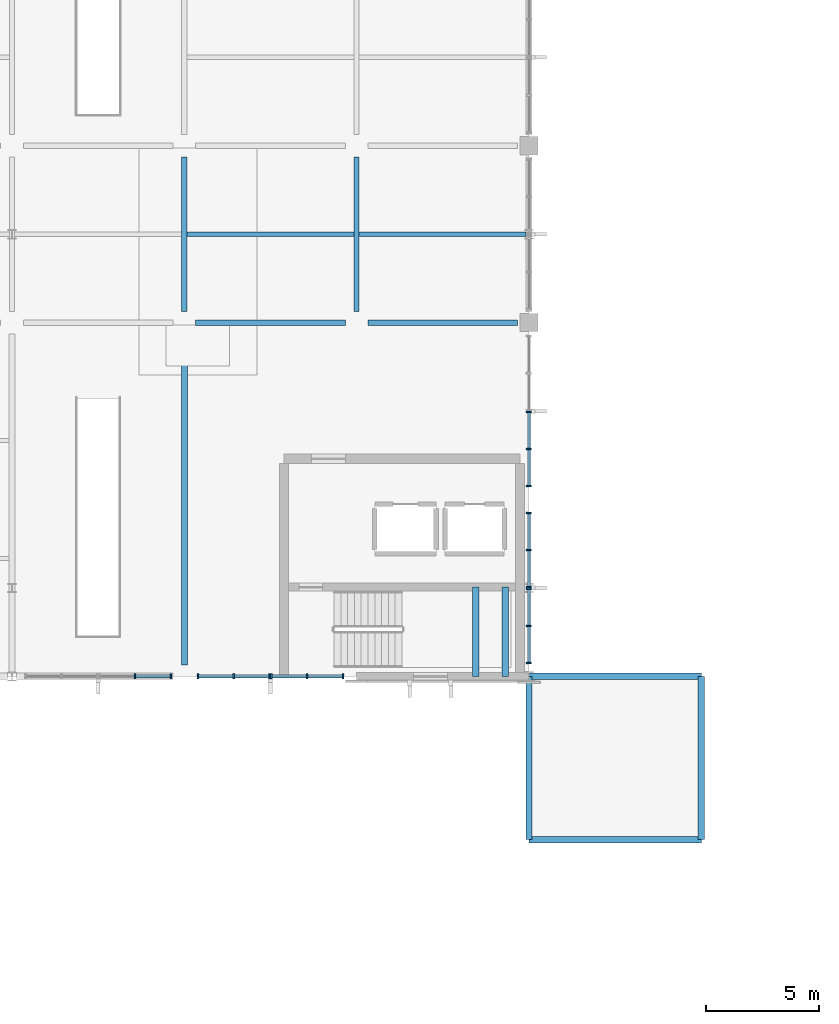
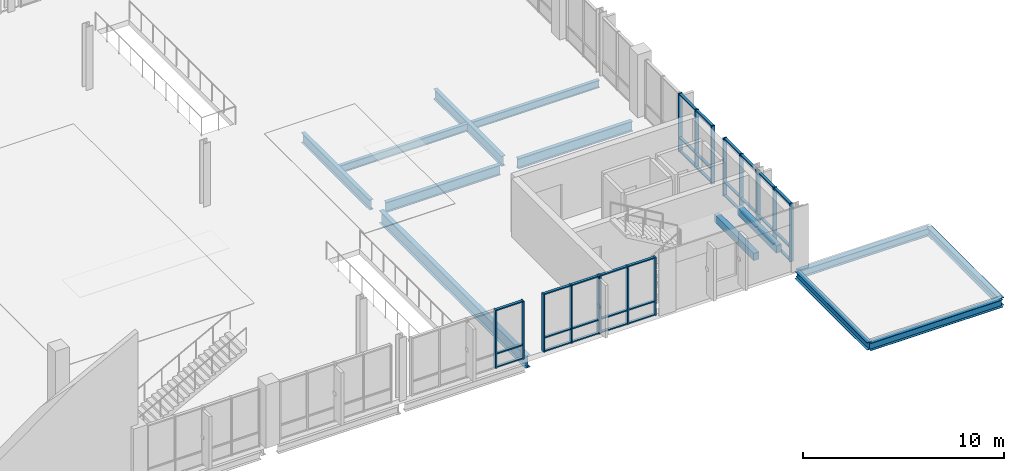
# One storey, part 38 of 85: 50 members, 13 beams, 6 elements without a shape of their own.
"""IFC4 building model written with IfcOpenShell, lengths in metres."""

from ifc_helpers import new_model, si_unit, direction, frame, origin, origin_2d, place, context, subcontext, project, spatial, rectangle, i_section, extrude, material, material_profile, profile_set, type_object, element, aggregate, save


model = new_model("IFC4")

# Units and contexts
model_context = context("Model", 3, precision=1e-05, world=origin(), true_north=direction((0.0, 1.0)))
body_context = subcontext(model_context, "Body", "Model", "MODEL_VIEW")
ifc_project = project(units=[si_unit("LENGTHUNIT", "METRE"), si_unit("AREAUNIT", "SQUARE_METRE"), si_unit("VOLUMEUNIT", "CUBIC_METRE"), si_unit("PLANEANGLEUNIT", "RADIAN"), si_unit("MASSUNIT", "GRAM", prefix="KILO")], contexts=[model_context])

# Site, building, storey
site_placement = place(None, origin())
site = spatial("IfcSite", under=ifc_project, at=site_placement, CompositionType="ELEMENT")
building_placement = place(site_placement, origin())
building = spatial("IfcBuilding", under=site, at=building_placement, Name="Vervanel Yard Central Library", CompositionType="ELEMENT")
storey_placement = place(building_placement, frame((0.0, 0.0, 5.10009765625)))
storey = spatial("IfcBuildingStorey", under=building, at=storey_placement, Name="L01", CompositionType="ELEMENT", Elevation=5.10009765625)

# Beams
ifc_material_1 = material(Name="Concrete C40/50", Category="concrete")
ifc_material_profile_1 = material_profile(ifc_material_1, rectangle(XDim=0.300048828125, YDim=0.449951171875, at=origin_2d()), Name="RC 300x450", Category="concrete")
ifc_profile_set_1 = profile_set([ifc_material_profile_1], Name="Concrete C40/50")
beam_type_1 = type_object("IfcBeamType", Name="Concrete Opening Lintel 300x450", PredefinedType="LINTEL", material=ifc_profile_set_1)
for number, where, z_axis, x_axis, name in (
    (1, (143.64990234375, 43.199951171875, 1.494873046875), (0.0, 1.0, 0.0), (-1.0, 0.0, 0.0), "L01 CORE-E Stair Landing Beam 37"),
    (2, (144.949951171875, 43.199951171875, 1.494873046875), (0.0, 1.0, 0.0), (-1.0, 0.0, 0.0), "L01 CORE-E Stair Landing Beam 38"),
):
    element("IfcBeam", number, at=place(storey_placement, frame(where, z_axis=z_axis, x_axis=x_axis)), inside=storey, type_object=beam_type_1, Name=name, PredefinedType="LINTEL", context=body_context, shape_type="SweptSolid", body=[
        extrude(rectangle(XDim=0.300048828125, YDim=0.449951171875, at=origin_2d()), origin(), (0.0, 0.0, 1.0), 3.93505859375),
    ])

# Curtain wall, members
ifc_material_2 = material(Name="Thermally broken anodized aluminium 6063-T6", Category="aluminium")
curtain_wall_type_1 = type_object("IfcCurtainWallType", Name="Reading Hall Full-Height Curtain Wall", PredefinedType="NOTDEFINED", material=ifc_material_2)
curtain_wall_1_placement = place(storey_placement, origin())
curtain_wall_1 = element("IfcCurtainWall", 3, at=curtain_wall_1_placement, inside=storey, type_object=curtain_wall_type_1, Name="L01 Reading Hall Full-Height Curtain Wall CWR-L01-065", PredefinedType="NOTDEFINED")
ifc_material_profile_2 = material_profile(ifc_material_2, rectangle(XDim=0.070068359375, YDim=0.219970703125, at=origin_2d()), Name="ALU 70x220", Category="aluminium")
ifc_profile_set_2 = profile_set([ifc_material_profile_2], Name="Thermally broken anodized aluminium 6063-T6")
member_type_1 = type_object("IfcMemberType", Name="Reading Hall Deep Mullion 70x220", PredefinedType="MULLION", material=ifc_profile_set_2)
member_1_placement = place(storey_placement, frame((128.6201171875, 43.199951171875, 0.0), z_axis=(0.0, 0.0, 1.0), x_axis=(1.0, 0.0, 0.0)))
member_1 = element("IfcMember", 4, at=member_1_placement, type_object=member_type_1, Name="CWR-L01-065 Mullion 2", PredefinedType="MULLION", context=body_context, shape_type="SweptSolid", body=[
    extrude(rectangle(XDim=0.070068359375, YDim=0.219970703125, at=origin_2d()), origin(), (0.0, 0.0, 1.0), 3.52978515625),
])
member_2_placement = place(storey_placement, frame((130.205078125, 43.199951171875, 0.0), z_axis=(0.0, 0.0, 1.0), x_axis=(1.0, 0.0, 0.0)))
member_2 = element("IfcMember", 5, at=member_2_placement, type_object=member_type_1, Name="CWR-L01-065 Mullion 3", PredefinedType="MULLION", context=body_context, shape_type="SweptSolid", body=[
    extrude(rectangle(XDim=0.070068359375, YDim=0.219970703125, at=origin_2d()), origin(), (0.0, 0.0, 1.0), 3.52978515625),
])

curtain_wall_2_placement = place(storey_placement, origin())
curtain_wall_2 = element("IfcCurtainWall", 6, at=curtain_wall_2_placement, inside=storey, type_object=curtain_wall_type_1, Name="L01 Reading Hall Full-Height Curtain Wall CWR-L01-066", PredefinedType="NOTDEFINED")
member_3_placement = place(storey_placement, frame((131.39501953125, 43.199951171875, 0.0), z_axis=(0.0, 0.0, 1.0), x_axis=(1.0, 0.0, 0.0)))
member_3 = element("IfcMember", 7, at=member_3_placement, type_object=member_type_1, Name="CWR-L01-066 Mullion 1", PredefinedType="MULLION", context=body_context, shape_type="SweptSolid", body=[
    extrude(rectangle(XDim=0.070068359375, YDim=0.219970703125, at=origin_2d()), origin(), (0.0, 0.0, 1.0), 3.52978515625),
])
member_4_placement = place(storey_placement, frame((132.97998046875, 43.199951171875, 0.0), z_axis=(0.0, 0.0, 1.0), x_axis=(1.0, 0.0, 0.0)))
member_4 = element("IfcMember", 8, at=member_4_placement, type_object=member_type_1, Name="CWR-L01-066 Mullion 2", PredefinedType="MULLION", context=body_context, shape_type="SweptSolid", body=[
    extrude(rectangle(XDim=0.070068359375, YDim=0.219970703125, at=origin_2d()), origin(), (0.0, 0.0, 1.0), 3.52978515625),
])
member_5_placement = place(storey_placement, frame((134.56494140625, 43.199951171875, 0.0), z_axis=(0.0, 0.0, 1.0), x_axis=(1.0, 0.0, 0.0)))
member_5 = element("IfcMember", 9, at=member_5_placement, type_object=member_type_1, Name="CWR-L01-066 Mullion 3", PredefinedType="MULLION", context=body_context, shape_type="SweptSolid", body=[
    extrude(rectangle(XDim=0.070068359375, YDim=0.219970703125, at=origin_2d()), origin(), (0.0, 0.0, 1.0), 3.52978515625),
])

curtain_wall_3_placement = place(storey_placement, origin())
curtain_wall_3 = element("IfcCurtainWall", 10, at=curtain_wall_3_placement, inside=storey, type_object=curtain_wall_type_1, Name="L01 Reading Hall Full-Height Curtain Wall CWR-L01-067", PredefinedType="NOTDEFINED")
member_6_placement = place(storey_placement, frame((134.635009765625, 43.199951171875, 0.0), z_axis=(0.0, 0.0, 1.0), x_axis=(1.0, 0.0, 0.0)))
member_6 = element("IfcMember", 11, at=member_6_placement, type_object=member_type_1, Name="CWR-L01-067 Mullion 1", PredefinedType="MULLION", context=body_context, shape_type="SweptSolid", body=[
    extrude(rectangle(XDim=0.070068359375, YDim=0.219970703125, at=origin_2d()), origin(), (0.0, 0.0, 1.0), 3.52978515625),
])
member_7_placement = place(storey_placement, frame((136.219970703125, 43.199951171875, 0.0), z_axis=(0.0, 0.0, 1.0), x_axis=(1.0, 0.0, 0.0)))
member_7 = element("IfcMember", 12, at=member_7_placement, type_object=member_type_1, Name="CWR-L01-067 Mullion 2", PredefinedType="MULLION", context=body_context, shape_type="SweptSolid", body=[
    extrude(rectangle(XDim=0.070068359375, YDim=0.219970703125, at=origin_2d()), origin(), (0.0, 0.0, 1.0), 3.52978515625),
])
member_8_placement = place(storey_placement, frame((137.804931640625, 43.199951171875, 0.0), z_axis=(0.0, 0.0, 1.0), x_axis=(1.0, 0.0, 0.0)))
member_8 = element("IfcMember", 13, at=member_8_placement, type_object=member_type_1, Name="CWR-L01-067 Mullion 3", PredefinedType="MULLION", context=body_context, shape_type="SweptSolid", body=[
    extrude(rectangle(XDim=0.070068359375, YDim=0.219970703125, at=origin_2d()), origin(), (0.0, 0.0, 1.0), 3.52978515625),
])

curtain_wall_type_2 = type_object("IfcCurtainWallType", Name="Prow Cantilever Glazed Curtain Wall", PredefinedType="NOTDEFINED", material=ifc_material_2)
curtain_wall_4_placement = place(storey_placement, origin())
curtain_wall_4 = element("IfcCurtainWall", 14, at=curtain_wall_4_placement, inside=storey, type_object=curtain_wall_type_2, Name="L01 Prow Cantilever Glazed Curtain Wall CWR-L01-124", PredefinedType="NOTDEFINED")
member_9_placement = place(storey_placement, frame((146.0, 43.794921875, 0.0), z_axis=(0.0, 0.0, 1.0), x_axis=(0.0, 1.0, 0.0)))
member_9 = element("IfcMember", 15, at=member_9_placement, type_object=member_type_1, Name="CWR-L01-124 Mullion 1", PredefinedType="MULLION", context=body_context, shape_type="SweptSolid", body=[
    extrude(rectangle(XDim=0.070068359375, YDim=0.219970703125, at=origin_2d()), origin(), (0.0, 0.0, 1.0), 3.52978515625),
])
member_10_placement = place(storey_placement, frame((146.0, 45.429931640625, 0.0), z_axis=(0.0, 0.0, 1.0), x_axis=(0.0, 1.0, 0.0)))
member_10 = element("IfcMember", 16, at=member_10_placement, type_object=member_type_1, Name="CWR-L01-124 Mullion 2", PredefinedType="MULLION", context=body_context, shape_type="SweptSolid", body=[
    extrude(rectangle(XDim=0.070068359375, YDim=0.219970703125, at=origin_2d()), origin(), (0.0, 0.0, 1.0), 3.52978515625),
])
member_11_placement = place(storey_placement, frame((146.0, 47.06494140625, 0.0), z_axis=(0.0, 0.0, 1.0), x_axis=(0.0, 1.0, 0.0)))
member_11 = element("IfcMember", 17, at=member_11_placement, type_object=member_type_1, Name="CWR-L01-124 Mullion 3", PredefinedType="MULLION", context=body_context, shape_type="SweptSolid", body=[
    extrude(rectangle(XDim=0.070068359375, YDim=0.219970703125, at=origin_2d()), origin(), (0.0, 0.0, 1.0), 3.52978515625),
])

curtain_wall_5_placement = place(storey_placement, origin())
curtain_wall_5 = element("IfcCurtainWall", 18, at=curtain_wall_5_placement, inside=storey, type_object=curtain_wall_type_2, Name="L01 Prow Cantilever Glazed Curtain Wall CWR-L01-125", PredefinedType="NOTDEFINED")
member_12_placement = place(storey_placement, frame((146.0, 47.135009765625, 0.0), z_axis=(0.0, 0.0, 1.0), x_axis=(0.0, 1.0, 0.0)))
member_12 = element("IfcMember", 19, at=member_12_placement, type_object=member_type_1, Name="CWR-L01-125 Mullion 1", PredefinedType="MULLION", context=body_context, shape_type="SweptSolid", body=[
    extrude(rectangle(XDim=0.070068359375, YDim=0.219970703125, at=origin_2d()), origin(), (0.0, 0.0, 1.0), 3.52978515625),
])
member_13_placement = place(storey_placement, frame((146.0, 48.77001953125, 0.0), z_axis=(0.0, 0.0, 1.0), x_axis=(0.0, 1.0, 0.0)))
member_13 = element("IfcMember", 20, at=member_13_placement, type_object=member_type_1, Name="CWR-L01-125 Mullion 2", PredefinedType="MULLION", context=body_context, shape_type="SweptSolid", body=[
    extrude(rectangle(XDim=0.070068359375, YDim=0.219970703125, at=origin_2d()), origin(), (0.0, 0.0, 1.0), 3.52978515625),
])
member_14_placement = place(storey_placement, frame((146.0, 50.405029296875, 0.0), z_axis=(0.0, 0.0, 1.0), x_axis=(0.0, 1.0, 0.0)))
member_14 = element("IfcMember", 21, at=member_14_placement, type_object=member_type_1, Name="CWR-L01-125 Mullion 3", PredefinedType="MULLION", context=body_context, shape_type="SweptSolid", body=[
    extrude(rectangle(XDim=0.070068359375, YDim=0.219970703125, at=origin_2d()), origin(), (0.0, 0.0, 1.0), 3.52978515625),
])

curtain_wall_6_placement = place(storey_placement, origin())
curtain_wall_6 = element("IfcCurtainWall", 22, at=curtain_wall_6_placement, inside=storey, type_object=curtain_wall_type_2, Name="L01 Prow Cantilever Glazed Curtain Wall CWR-L01-126", PredefinedType="NOTDEFINED")
member_15_placement = place(storey_placement, frame((146.0, 51.594970703125, 0.0), z_axis=(0.0, 0.0, 1.0), x_axis=(0.0, 1.0, 0.0)))
member_15 = element("IfcMember", 23, at=member_15_placement, type_object=member_type_1, Name="CWR-L01-126 Mullion 1", PredefinedType="MULLION", context=body_context, shape_type="SweptSolid", body=[
    extrude(rectangle(XDim=0.070068359375, YDim=0.219970703125, at=origin_2d()), origin(), (0.0, 0.0, 1.0), 3.52978515625),
])
member_16_placement = place(storey_placement, frame((146.0, 53.22998046875, 0.0), z_axis=(0.0, 0.0, 1.0), x_axis=(0.0, 1.0, 0.0)))
member_16 = element("IfcMember", 24, at=member_16_placement, type_object=member_type_1, Name="CWR-L01-126 Mullion 2", PredefinedType="MULLION", context=body_context, shape_type="SweptSolid", body=[
    extrude(rectangle(XDim=0.070068359375, YDim=0.219970703125, at=origin_2d()), origin(), (0.0, 0.0, 1.0), 3.52978515625),
])
member_17_placement = place(storey_placement, frame((146.0, 54.864990234375, 0.0), z_axis=(0.0, 0.0, 1.0), x_axis=(0.0, 1.0, 0.0)))
member_17 = element("IfcMember", 25, at=member_17_placement, type_object=member_type_1, Name="CWR-L01-126 Mullion 3", PredefinedType="MULLION", context=body_context, shape_type="SweptSolid", body=[
    extrude(rectangle(XDim=0.070068359375, YDim=0.219970703125, at=origin_2d()), origin(), (0.0, 0.0, 1.0), 3.52978515625),
])

# Member
ifc_material_profile_3 = material_profile(ifc_material_2, rectangle(XDim=0.070068359375, YDim=0.14990234375, at=origin_2d()), Name="ALU 70x150", Category="aluminium")
ifc_profile_set_3 = profile_set([ifc_material_profile_3], Name="Thermally broken anodized aluminium 6063-T6")
member_type_2 = type_object("IfcMemberType", Name="Reading Hall Deep Transom 70x150", PredefinedType="NOTDEFINED", material=ifc_profile_set_3)
member_18_placement = place(storey_placement, frame((128.655029296875, 43.199951171875, 0.034912109375), z_axis=(1.0, 0.0, 0.0), x_axis=(0.0, 0.0, 1.0)))
member_18 = element("IfcMember", 26, at=member_18_placement, type_object=member_type_2, Name="CWR-L01-065 Transom B2-T1", ObjectType="TRANSOM", PredefinedType="USERDEFINED", context=body_context, shape_type="SweptSolid", body=[
    extrude(rectangle(XDim=0.070068359375, YDim=0.14990234375, at=origin_2d()), origin(), (0.0, 0.0, 1.0), 1.514892578125),
])

member_19_placement = place(storey_placement, frame((128.655029296875, 43.199951171875, 0.849853515625), z_axis=(1.0, 0.0, 0.0), x_axis=(0.0, 0.0, 1.0)))
member_19 = element("IfcMember", 27, at=member_19_placement, type_object=member_type_2, Name="CWR-L01-065 Transom B2-T2", ObjectType="TRANSOM", PredefinedType="USERDEFINED", context=body_context, shape_type="SweptSolid", body=[
    extrude(rectangle(XDim=0.070068359375, YDim=0.14990234375, at=origin_2d()), origin(), (0.0, 0.0, 1.0), 1.514892578125),
])

member_20_placement = place(storey_placement, frame((128.655029296875, 43.199951171875, 3.494873046875), z_axis=(1.0, 0.0, 0.0), x_axis=(0.0, 0.0, 1.0)))
member_20 = element("IfcMember", 28, at=member_20_placement, type_object=member_type_2, Name="CWR-L01-065 Transom B2-T3", ObjectType="TRANSOM", PredefinedType="USERDEFINED", context=body_context, shape_type="SweptSolid", body=[
    extrude(rectangle(XDim=0.070068359375, YDim=0.14990234375, at=origin_2d()), origin(), (0.0, 0.0, 1.0), 1.514892578125),
])

aggregate(curtain_wall_1, [member_1, member_2, member_18, member_19, member_20])

member_21_placement = place(storey_placement, frame((131.429931640625, 43.199951171875, 0.034912109375), z_axis=(1.0, 0.0, 0.0), x_axis=(0.0, 0.0, 1.0)))
member_21 = element("IfcMember", 29, at=member_21_placement, type_object=member_type_2, Name="CWR-L01-066 Transom B1-T1", ObjectType="TRANSOM", PredefinedType="USERDEFINED", context=body_context, shape_type="SweptSolid", body=[
    extrude(rectangle(XDim=0.070068359375, YDim=0.14990234375, at=origin_2d()), origin(), (0.0, 0.0, 1.0), 1.51513671875),
])

member_22_placement = place(storey_placement, frame((131.429931640625, 43.199951171875, 0.849853515625), z_axis=(1.0, 0.0, 0.0), x_axis=(0.0, 0.0, 1.0)))
member_22 = element("IfcMember", 30, at=member_22_placement, type_object=member_type_2, Name="CWR-L01-066 Transom B1-T2", ObjectType="TRANSOM", PredefinedType="USERDEFINED", context=body_context, shape_type="SweptSolid", body=[
    extrude(rectangle(XDim=0.070068359375, YDim=0.14990234375, at=origin_2d()), origin(), (0.0, 0.0, 1.0), 1.51513671875),
])

member_23_placement = place(storey_placement, frame((131.429931640625, 43.199951171875, 3.494873046875), z_axis=(1.0, 0.0, 0.0), x_axis=(0.0, 0.0, 1.0)))
member_23 = element("IfcMember", 31, at=member_23_placement, type_object=member_type_2, Name="CWR-L01-066 Transom B1-T3", ObjectType="TRANSOM", PredefinedType="USERDEFINED", context=body_context, shape_type="SweptSolid", body=[
    extrude(rectangle(XDim=0.070068359375, YDim=0.14990234375, at=origin_2d()), origin(), (0.0, 0.0, 1.0), 1.51513671875),
])

member_24_placement = place(storey_placement, frame((133.014892578125, 43.199951171875, 0.034912109375), z_axis=(1.0, 0.0, 0.0), x_axis=(0.0, 0.0, 1.0)))
member_24 = element("IfcMember", 32, at=member_24_placement, type_object=member_type_2, Name="CWR-L01-066 Transom B2-T1", ObjectType="TRANSOM", PredefinedType="USERDEFINED", context=body_context, shape_type="SweptSolid", body=[
    extrude(rectangle(XDim=0.070068359375, YDim=0.14990234375, at=origin_2d()), origin(), (0.0, 0.0, 1.0), 1.51513671875),
])

member_25_placement = place(storey_placement, frame((133.014892578125, 43.199951171875, 0.849853515625), z_axis=(1.0, 0.0, 0.0), x_axis=(0.0, 0.0, 1.0)))
member_25 = element("IfcMember", 33, at=member_25_placement, type_object=member_type_2, Name="CWR-L01-066 Transom B2-T2", ObjectType="TRANSOM", PredefinedType="USERDEFINED", context=body_context, shape_type="SweptSolid", body=[
    extrude(rectangle(XDim=0.070068359375, YDim=0.14990234375, at=origin_2d()), origin(), (0.0, 0.0, 1.0), 1.51513671875),
])

member_26_placement = place(storey_placement, frame((133.014892578125, 43.199951171875, 3.494873046875), z_axis=(1.0, 0.0, 0.0), x_axis=(0.0, 0.0, 1.0)))
member_26 = element("IfcMember", 34, at=member_26_placement, type_object=member_type_2, Name="CWR-L01-066 Transom B2-T3", ObjectType="TRANSOM", PredefinedType="USERDEFINED", context=body_context, shape_type="SweptSolid", body=[
    extrude(rectangle(XDim=0.070068359375, YDim=0.14990234375, at=origin_2d()), origin(), (0.0, 0.0, 1.0), 1.51513671875),
])

aggregate(curtain_wall_2, [member_3, member_4, member_5, member_21, member_22, member_23, member_24, member_25, member_26])

member_27_placement = place(storey_placement, frame((134.669921875, 43.199951171875, 0.034912109375), z_axis=(1.0, 0.0, 0.0), x_axis=(0.0, 0.0, 1.0)))
member_27 = element("IfcMember", 35, at=member_27_placement, type_object=member_type_2, Name="CWR-L01-067 Transom B1-T1", ObjectType="TRANSOM", PredefinedType="USERDEFINED", context=body_context, shape_type="SweptSolid", body=[
    extrude(rectangle(XDim=0.070068359375, YDim=0.14990234375, at=origin_2d()), origin(), (0.0, 0.0, 1.0), 1.51513671875),
])

member_28_placement = place(storey_placement, frame((134.669921875, 43.199951171875, 0.849853515625), z_axis=(1.0, 0.0, 0.0), x_axis=(0.0, 0.0, 1.0)))
member_28 = element("IfcMember", 36, at=member_28_placement, type_object=member_type_2, Name="CWR-L01-067 Transom B1-T2", ObjectType="TRANSOM", PredefinedType="USERDEFINED", context=body_context, shape_type="SweptSolid", body=[
    extrude(rectangle(XDim=0.070068359375, YDim=0.14990234375, at=origin_2d()), origin(), (0.0, 0.0, 1.0), 1.51513671875),
])

member_29_placement = place(storey_placement, frame((134.669921875, 43.199951171875, 3.494873046875), z_axis=(1.0, 0.0, 0.0), x_axis=(0.0, 0.0, 1.0)))
member_29 = element("IfcMember", 37, at=member_29_placement, type_object=member_type_2, Name="CWR-L01-067 Transom B1-T3", ObjectType="TRANSOM", PredefinedType="USERDEFINED", context=body_context, shape_type="SweptSolid", body=[
    extrude(rectangle(XDim=0.070068359375, YDim=0.14990234375, at=origin_2d()), origin(), (0.0, 0.0, 1.0), 1.51513671875),
])

member_30_placement = place(storey_placement, frame((136.2548828125, 43.199951171875, 0.034912109375), z_axis=(1.0, 0.0, 0.0), x_axis=(0.0, 0.0, 1.0)))
member_30 = element("IfcMember", 38, at=member_30_placement, type_object=member_type_2, Name="CWR-L01-067 Transom B2-T1", ObjectType="TRANSOM", PredefinedType="USERDEFINED", context=body_context, shape_type="SweptSolid", body=[
    extrude(rectangle(XDim=0.070068359375, YDim=0.14990234375, at=origin_2d()), origin(), (0.0, 0.0, 1.0), 1.51513671875),
])

member_31_placement = place(storey_placement, frame((136.2548828125, 43.199951171875, 0.849853515625), z_axis=(1.0, 0.0, 0.0), x_axis=(0.0, 0.0, 1.0)))
member_31 = element("IfcMember", 39, at=member_31_placement, type_object=member_type_2, Name="CWR-L01-067 Transom B2-T2", ObjectType="TRANSOM", PredefinedType="USERDEFINED", context=body_context, shape_type="SweptSolid", body=[
    extrude(rectangle(XDim=0.070068359375, YDim=0.14990234375, at=origin_2d()), origin(), (0.0, 0.0, 1.0), 1.51513671875),
])

member_32_placement = place(storey_placement, frame((136.2548828125, 43.199951171875, 3.494873046875), z_axis=(1.0, 0.0, 0.0), x_axis=(0.0, 0.0, 1.0)))
member_32 = element("IfcMember", 40, at=member_32_placement, type_object=member_type_2, Name="CWR-L01-067 Transom B2-T3", ObjectType="TRANSOM", PredefinedType="USERDEFINED", context=body_context, shape_type="SweptSolid", body=[
    extrude(rectangle(XDim=0.070068359375, YDim=0.14990234375, at=origin_2d()), origin(), (0.0, 0.0, 1.0), 1.51513671875),
])

aggregate(curtain_wall_3, [member_6, member_7, member_8, member_27, member_28, member_29, member_30, member_31, member_32])

member_33_placement = place(storey_placement, frame((146.0, 43.830078125, 0.034912109375), z_axis=(0.0, 1.0, 0.0), x_axis=(0.0, 0.0, 1.0)))
member_33 = element("IfcMember", 41, at=member_33_placement, type_object=member_type_2, Name="CWR-L01-124 Transom B1-T1", ObjectType="TRANSOM", PredefinedType="USERDEFINED", context=body_context, shape_type="SweptSolid", body=[
    extrude(rectangle(XDim=0.070068359375, YDim=0.14990234375, at=origin_2d()), origin(), (0.0, 0.0, 1.0), 1.56494140625),
])

member_34_placement = place(storey_placement, frame((146.0, 43.830078125, 0.849853515625), z_axis=(0.0, 1.0, 0.0), x_axis=(0.0, 0.0, 1.0)))
member_34 = element("IfcMember", 42, at=member_34_placement, type_object=member_type_2, Name="CWR-L01-124 Transom B1-T2", ObjectType="TRANSOM", PredefinedType="USERDEFINED", context=body_context, shape_type="SweptSolid", body=[
    extrude(rectangle(XDim=0.070068359375, YDim=0.14990234375, at=origin_2d()), origin(), (0.0, 0.0, 1.0), 1.56494140625),
])

member_35_placement = place(storey_placement, frame((146.0, 43.830078125, 3.494873046875), z_axis=(0.0, 1.0, 0.0), x_axis=(0.0, 0.0, 1.0)))
member_35 = element("IfcMember", 43, at=member_35_placement, type_object=member_type_2, Name="CWR-L01-124 Transom B1-T3", ObjectType="TRANSOM", PredefinedType="USERDEFINED", context=body_context, shape_type="SweptSolid", body=[
    extrude(rectangle(XDim=0.070068359375, YDim=0.14990234375, at=origin_2d()), origin(), (0.0, 0.0, 1.0), 1.56494140625),
])

member_36_placement = place(storey_placement, frame((146.0, 45.465087890625, 0.034912109375), z_axis=(0.0, 1.0, 0.0), x_axis=(0.0, 0.0, 1.0)))
member_36 = element("IfcMember", 44, at=member_36_placement, type_object=member_type_2, Name="CWR-L01-124 Transom B2-T1", ObjectType="TRANSOM", PredefinedType="USERDEFINED", context=body_context, shape_type="SweptSolid", body=[
    extrude(rectangle(XDim=0.070068359375, YDim=0.14990234375, at=origin_2d()), origin(), (0.0, 0.0, 1.0), 1.56494140625),
])

member_37_placement = place(storey_placement, frame((146.0, 45.465087890625, 0.849853515625), z_axis=(0.0, 1.0, 0.0), x_axis=(0.0, 0.0, 1.0)))
member_37 = element("IfcMember", 45, at=member_37_placement, type_object=member_type_2, Name="CWR-L01-124 Transom B2-T2", ObjectType="TRANSOM", PredefinedType="USERDEFINED", context=body_context, shape_type="SweptSolid", body=[
    extrude(rectangle(XDim=0.070068359375, YDim=0.14990234375, at=origin_2d()), origin(), (0.0, 0.0, 1.0), 1.56494140625),
])

member_38_placement = place(storey_placement, frame((146.0, 45.465087890625, 3.494873046875), z_axis=(0.0, 1.0, 0.0), x_axis=(0.0, 0.0, 1.0)))
member_38 = element("IfcMember", 46, at=member_38_placement, type_object=member_type_2, Name="CWR-L01-124 Transom B2-T3", ObjectType="TRANSOM", PredefinedType="USERDEFINED", context=body_context, shape_type="SweptSolid", body=[
    extrude(rectangle(XDim=0.070068359375, YDim=0.14990234375, at=origin_2d()), origin(), (0.0, 0.0, 1.0), 1.56494140625),
])

aggregate(curtain_wall_4, [member_9, member_10, member_11, member_33, member_34, member_35, member_36, member_37, member_38])

member_39_placement = place(storey_placement, frame((146.0, 47.169921875, 0.034912109375), z_axis=(0.0, 1.0, 0.0), x_axis=(0.0, 0.0, 1.0)))
member_39 = element("IfcMember", 47, at=member_39_placement, type_object=member_type_2, Name="CWR-L01-125 Transom B1-T1", ObjectType="TRANSOM", PredefinedType="USERDEFINED", context=body_context, shape_type="SweptSolid", body=[
    extrude(rectangle(XDim=0.070068359375, YDim=0.14990234375, at=origin_2d()), origin(), (0.0, 0.0, 1.0), 1.565185546875),
])

member_40_placement = place(storey_placement, frame((146.0, 47.169921875, 0.849853515625), z_axis=(0.0, 1.0, 0.0), x_axis=(0.0, 0.0, 1.0)))
member_40 = element("IfcMember", 48, at=member_40_placement, type_object=member_type_2, Name="CWR-L01-125 Transom B1-T2", ObjectType="TRANSOM", PredefinedType="USERDEFINED", context=body_context, shape_type="SweptSolid", body=[
    extrude(rectangle(XDim=0.070068359375, YDim=0.14990234375, at=origin_2d()), origin(), (0.0, 0.0, 1.0), 1.565185546875),
])

member_41_placement = place(storey_placement, frame((146.0, 47.169921875, 3.494873046875), z_axis=(0.0, 1.0, 0.0), x_axis=(0.0, 0.0, 1.0)))
member_41 = element("IfcMember", 49, at=member_41_placement, type_object=member_type_2, Name="CWR-L01-125 Transom B1-T3", ObjectType="TRANSOM", PredefinedType="USERDEFINED", context=body_context, shape_type="SweptSolid", body=[
    extrude(rectangle(XDim=0.070068359375, YDim=0.14990234375, at=origin_2d()), origin(), (0.0, 0.0, 1.0), 1.565185546875),
])

member_42_placement = place(storey_placement, frame((146.0, 48.804931640625, 0.034912109375), z_axis=(0.0, 1.0, 0.0), x_axis=(0.0, 0.0, 1.0)))
member_42 = element("IfcMember", 50, at=member_42_placement, type_object=member_type_2, Name="CWR-L01-125 Transom B2-T1", ObjectType="TRANSOM", PredefinedType="USERDEFINED", context=body_context, shape_type="SweptSolid", body=[
    extrude(rectangle(XDim=0.070068359375, YDim=0.14990234375, at=origin_2d()), origin(), (0.0, 0.0, 1.0), 1.565185546875),
])

member_43_placement = place(storey_placement, frame((146.0, 48.804931640625, 0.849853515625), z_axis=(0.0, 1.0, 0.0), x_axis=(0.0, 0.0, 1.0)))
member_43 = element("IfcMember", 51, at=member_43_placement, type_object=member_type_2, Name="CWR-L01-125 Transom B2-T2", ObjectType="TRANSOM", PredefinedType="USERDEFINED", context=body_context, shape_type="SweptSolid", body=[
    extrude(rectangle(XDim=0.070068359375, YDim=0.14990234375, at=origin_2d()), origin(), (0.0, 0.0, 1.0), 1.565185546875),
])

member_44_placement = place(storey_placement, frame((146.0, 48.804931640625, 3.494873046875), z_axis=(0.0, 1.0, 0.0), x_axis=(0.0, 0.0, 1.0)))
member_44 = element("IfcMember", 52, at=member_44_placement, type_object=member_type_2, Name="CWR-L01-125 Transom B2-T3", ObjectType="TRANSOM", PredefinedType="USERDEFINED", context=body_context, shape_type="SweptSolid", body=[
    extrude(rectangle(XDim=0.070068359375, YDim=0.14990234375, at=origin_2d()), origin(), (0.0, 0.0, 1.0), 1.565185546875),
])

aggregate(curtain_wall_5, [member_12, member_13, member_14, member_39, member_40, member_41, member_42, member_43, member_44])

member_45_placement = place(storey_placement, frame((146.0, 51.6298828125, 0.034912109375), z_axis=(0.0, 1.0, 0.0), x_axis=(0.0, 0.0, 1.0)))
member_45 = element("IfcMember", 53, at=member_45_placement, type_object=member_type_2, Name="CWR-L01-126 Transom B1-T1", ObjectType="TRANSOM", PredefinedType="USERDEFINED", context=body_context, shape_type="SweptSolid", body=[
    extrude(rectangle(XDim=0.070068359375, YDim=0.14990234375, at=origin_2d()), origin(), (0.0, 0.0, 1.0), 1.565185546875),
])

member_46_placement = place(storey_placement, frame((146.0, 51.6298828125, 0.849853515625), z_axis=(0.0, 1.0, 0.0), x_axis=(0.0, 0.0, 1.0)))
member_46 = element("IfcMember", 54, at=member_46_placement, type_object=member_type_2, Name="CWR-L01-126 Transom B1-T2", ObjectType="TRANSOM", PredefinedType="USERDEFINED", context=body_context, shape_type="SweptSolid", body=[
    extrude(rectangle(XDim=0.070068359375, YDim=0.14990234375, at=origin_2d()), origin(), (0.0, 0.0, 1.0), 1.565185546875),
])

member_47_placement = place(storey_placement, frame((146.0, 51.6298828125, 3.494873046875), z_axis=(0.0, 1.0, 0.0), x_axis=(0.0, 0.0, 1.0)))
member_47 = element("IfcMember", 55, at=member_47_placement, type_object=member_type_2, Name="CWR-L01-126 Transom B1-T3", ObjectType="TRANSOM", PredefinedType="USERDEFINED", context=body_context, shape_type="SweptSolid", body=[
    extrude(rectangle(XDim=0.070068359375, YDim=0.14990234375, at=origin_2d()), origin(), (0.0, 0.0, 1.0), 1.565185546875),
])

member_48_placement = place(storey_placement, frame((146.0, 53.264892578125, 0.034912109375), z_axis=(0.0, 1.0, 0.0), x_axis=(0.0, 0.0, 1.0)))
member_48 = element("IfcMember", 56, at=member_48_placement, type_object=member_type_2, Name="CWR-L01-126 Transom B2-T1", ObjectType="TRANSOM", PredefinedType="USERDEFINED", context=body_context, shape_type="SweptSolid", body=[
    extrude(rectangle(XDim=0.070068359375, YDim=0.14990234375, at=origin_2d()), origin(), (0.0, 0.0, 1.0), 1.565185546875),
])

member_49_placement = place(storey_placement, frame((146.0, 53.264892578125, 0.849853515625), z_axis=(0.0, 1.0, 0.0), x_axis=(0.0, 0.0, 1.0)))
member_49 = element("IfcMember", 57, at=member_49_placement, type_object=member_type_2, Name="CWR-L01-126 Transom B2-T2", ObjectType="TRANSOM", PredefinedType="USERDEFINED", context=body_context, shape_type="SweptSolid", body=[
    extrude(rectangle(XDim=0.070068359375, YDim=0.14990234375, at=origin_2d()), origin(), (0.0, 0.0, 1.0), 1.565185546875),
])

member_50_placement = place(storey_placement, frame((146.0, 53.264892578125, 3.494873046875), z_axis=(0.0, 1.0, 0.0), x_axis=(0.0, 0.0, 1.0)))
member_50 = element("IfcMember", 58, at=member_50_placement, type_object=member_type_2, Name="CWR-L01-126 Transom B2-T3", ObjectType="TRANSOM", PredefinedType="USERDEFINED", context=body_context, shape_type="SweptSolid", body=[
    extrude(rectangle(XDim=0.070068359375, YDim=0.14990234375, at=origin_2d()), origin(), (0.0, 0.0, 1.0), 1.565185546875),
])

aggregate(curtain_wall_6, [member_15, member_16, member_17, member_45, member_46, member_47, member_48, member_49, member_50])

# Beams
ifc_material_3 = material(Name="Steel ASTM A992 Grade 50", Category="steel")
ifc_material_profile_4 = material_profile(ifc_material_3, i_section(OverallWidth=0.281982421875, OverallDepth=0.46728515625, WebThickness=0.01220703125, FlangeThickness=0.01953125, at=origin_2d()), Name="W18X86", Category="steel")
ifc_profile_set_4 = profile_set([ifc_material_profile_4], Name="Steel ASTM A992 Grade 50")
beam_type_2 = type_object("IfcBeamType", Name="Steel Canopy Edge Beam W18X86", PredefinedType="BEAM", material=ifc_profile_set_4)
for number, where, z_axis, x_axis, name in (
    (59, (146.0, 36.0, -0.40380859375), (1.0, 0.0, 0.0), (0.0, 1.0, 0.0), "Entrance Canopy Beam BM-CANOPY-S"),
    (60, (146.0, 43.199951171875, -0.40380859375), (1.0, 0.0, 0.0), (0.0, 1.0, 0.0), "Entrance Canopy Beam BM-CANOPY-N"),
):
    element("IfcBeam", number, at=place(storey_placement, frame(where, z_axis=z_axis, x_axis=x_axis)), inside=storey, type_object=beam_type_2, Name=name, PredefinedType="BEAM", context=body_context, shape_type="SweptSolid", body=[
        extrude(i_section(OverallWidth=0.281982421875, OverallDepth=0.46728515625, WebThickness=0.01220703125, FlangeThickness=0.01953125, at=origin_2d()), origin(), (0.0, 0.0, 1.0), 7.60009765625),
    ])
for number, where, z_axis, x_axis, name in (
    (61, (153.60009765625, 36.0, -0.40380859375), (0.0, 1.0, 0.0), (-1.0, 0.0, 0.0), "Entrance Canopy Beam BM-CANOPY-E"),
    (62, (146.0, 36.0, -0.40380859375), (0.0, 1.0, 0.0), (-1.0, 0.0, 0.0), "Entrance Canopy Beam BM-CANOPY-W"),
):
    element("IfcBeam", number, at=place(storey_placement, frame(where, z_axis=z_axis, x_axis=x_axis)), inside=storey, type_object=beam_type_2, Name=name, PredefinedType="BEAM", context=body_context, shape_type="SweptSolid", body=[
        extrude(i_section(OverallWidth=0.281982421875, OverallDepth=0.46728515625, WebThickness=0.01220703125, FlangeThickness=0.01953125, at=origin_2d()), origin(), (0.0, 0.0, 1.0), 7.199951171875),
    ])
ifc_material_profile_5 = material_profile(ifc_material_3, i_section(OverallWidth=0.22900390625, OverallDepth=0.612060546875, WebThickness=0.011962890625, FlangeThickness=0.01953125, at=origin_2d()), Name="W24X84", Category="steel")
ifc_profile_set_5 = profile_set([ifc_material_profile_5], Name="Steel ASTM A992 Grade 50")
beam_type_3 = type_object("IfcBeamType", Name="Steel Primary Girder W24X84", PredefinedType="BEAM", material=ifc_profile_set_5)
beam_1_placement = place(storey_placement, frame((131.300048828125, 58.800048828125, -0.631103515625), z_axis=(1.0, 0.0, 0.0), x_axis=(0.0, 1.0, 0.0)))
element("IfcBeam", 63, at=beam_1_placement, inside=storey, type_object=beam_type_3, Name="L01 Girder SB-01 Y=58.8 X=130.8-138.4", PredefinedType="BEAM", context=body_context, shape_type="SweptSolid", body=[
    extrude(i_section(OverallWidth=0.22900390625, OverallDepth=0.612060546875, WebThickness=0.011962890625, FlangeThickness=0.01953125, at=origin_2d()), origin(), (0.0, 0.0, 1.0), 6.599853515625),
])
beam_2_placement = place(storey_placement, frame((138.89990234375, 58.800048828125, -0.631103515625), z_axis=(1.0, 0.0, 0.0), x_axis=(0.0, 1.0, 0.0)))
element("IfcBeam", 64, at=beam_2_placement, inside=storey, type_object=beam_type_3, Name="L01 Girder SB-01 Y=58.8 X=138.4-146.0", PredefinedType="BEAM", context=body_context, shape_type="SweptSolid", body=[
    extrude(i_section(OverallWidth=0.22900390625, OverallDepth=0.612060546875, WebThickness=0.011962890625, FlangeThickness=0.01953125, at=origin_2d()), origin(), (0.0, 0.0, 1.0), 6.60009765625),
])
for number, where, z_axis, x_axis, name in (
    (65, (130.800048828125, 59.300048828125, -0.631103515625), (0.0, 1.0, 0.0), (-1.0, 0.0, 0.0), "L01 Girder SB-01 X=130.8 Y=58.8-66.6"),
    (66, (138.39990234375, 59.300048828125, -0.631103515625), (0.0, 1.0, 0.0), (-1.0, 0.0, 0.0), "L01 Girder SB-01 X=138.4 Y=58.8-66.6"),
):
    element("IfcBeam", number, at=place(storey_placement, frame(where, z_axis=z_axis, x_axis=x_axis)), inside=storey, type_object=beam_type_3, Name=name, PredefinedType="BEAM", context=body_context, shape_type="SweptSolid", body=[
        extrude(i_section(OverallWidth=0.22900390625, OverallDepth=0.612060546875, WebThickness=0.011962890625, FlangeThickness=0.01953125, at=origin_2d()), origin(), (0.0, 0.0, 1.0), 6.800048828125),
    ])
ifc_material_profile_6 = material_profile(ifc_material_3, i_section(OverallWidth=0.2666015625, OverallDepth=0.76953125, WebThickness=0.015625, FlangeThickness=0.025390625, at=origin_2d()), Name="W30X132", Category="steel")
ifc_profile_set_6 = profile_set([ifc_material_profile_6], Name="Steel ASTM A992 Grade 50")
beam_type_4 = type_object("IfcBeamType", Name="Steel Reading Hall Girder W30X132", PredefinedType="BEAM", material=ifc_profile_set_6)
beam_3_placement = place(storey_placement, frame((130.800048828125, 43.699951171875, -0.7099609375), z_axis=(0.0, 1.0, 0.0), x_axis=(-1.0, 0.0, 0.0)))
element("IfcBeam", 67, at=beam_3_placement, inside=storey, type_object=beam_type_4, Name="L01 Girder SB-04 X=130.8 Y=43.2-58.8", PredefinedType="BEAM", context=body_context, shape_type="SweptSolid", body=[
    extrude(i_section(OverallWidth=0.2666015625, OverallDepth=0.76953125, WebThickness=0.015625, FlangeThickness=0.025390625, at=origin_2d()), origin(), (0.0, 0.0, 1.0), 14.60009765625),
])
ifc_material_profile_7 = material_profile(ifc_material_3, i_section(OverallWidth=0.191162109375, OverallDepth=0.459716796875, WebThickness=0.010009765625, FlangeThickness=0.01611328125, at=origin_2d()), Name="W18X55", Category="steel")
ifc_profile_set_7 = profile_set([ifc_material_profile_7], Name="Steel ASTM A992 Grade 50")
beam_type_5 = type_object("IfcBeamType", Name="Steel Secondary Joist W18X55", PredefinedType="JOIST", material=ifc_profile_set_7)
beam_4_placement = place(storey_placement, frame((130.91455078125, 62.699951171875, -0.554931640625), z_axis=(1.0, 0.0, 0.0), x_axis=(0.0, 1.0, 0.0)))
element("IfcBeam", 68, at=beam_4_placement, inside=storey, type_object=beam_type_5, Name="L01 Floor Joist SJ-03 Y=62.70 X=130.8-138.4", PredefinedType="JOIST", context=body_context, shape_type="SweptSolid", body=[
    extrude(i_section(OverallWidth=0.191162109375, OverallDepth=0.459716796875, WebThickness=0.010009765625, FlangeThickness=0.01611328125, at=origin_2d()), origin(), (0.0, 0.0, 1.0), 7.370849609375),
])
beam_5_placement = place(storey_placement, frame((138.5146484375, 62.699951171875, -0.554931640625), z_axis=(1.0, 0.0, 0.0), x_axis=(0.0, 1.0, 0.0)))
element("IfcBeam", 69, at=beam_5_placement, inside=storey, type_object=beam_type_5, Name="L01 Floor Joist SJ-03 Y=62.70 X=138.4-146.0", PredefinedType="JOIST", context=body_context, shape_type="SweptSolid", body=[
    extrude(i_section(OverallWidth=0.191162109375, OverallDepth=0.459716796875, WebThickness=0.010009765625, FlangeThickness=0.01611328125, at=origin_2d()), origin(), (0.0, 0.0, 1.0), 7.34423828125),
])

save(model, "model.ifc")
